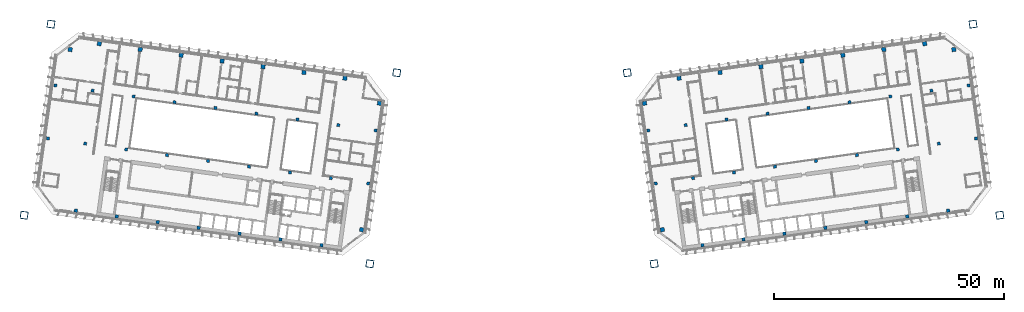
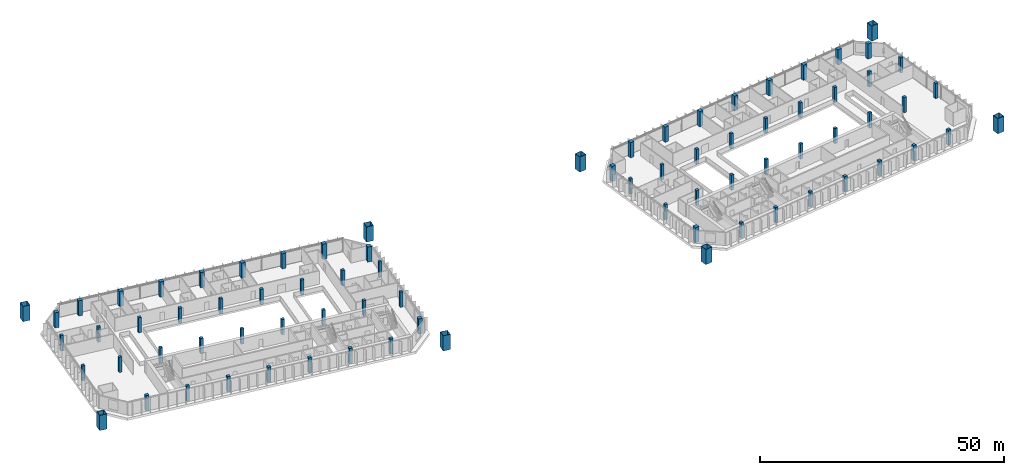
# One storey, part 1 of 25: 78 columns.
"""IFC4 building model written with IfcOpenShell, lengths in metres."""

from ifc_helpers import new_model, si_unit, direction, frame, origin, origin_2d, place, context, subcontext, project, spatial, rectangle, hollow_rectangle, extrude, material, material_profile, profile_set, type_object, element, save


model = new_model("IFC4")

# Units and contexts
model_context = context("Model", 3, precision=1e-05, world=origin(), true_north=direction((0.0, 1.0)))
body_context = subcontext(model_context, "Body", "Model", "MODEL_VIEW")
ifc_project = project(units=[si_unit("LENGTHUNIT", "METRE"), si_unit("AREAUNIT", "SQUARE_METRE"), si_unit("VOLUMEUNIT", "CUBIC_METRE"), si_unit("PLANEANGLEUNIT", "RADIAN"), si_unit("MASSUNIT", "GRAM", prefix="KILO")], contexts=[model_context])

# Site, building, storey
site_placement = place(None, origin())
site = spatial("IfcSite", under=ifc_project, at=site_placement, CompositionType="ELEMENT")
building_placement = place(site_placement, origin())
building = spatial("IfcBuilding", under=site, at=building_placement, Name="Mirante Cascada Hotel Towers", CompositionType="ELEMENT")
storey_placement = place(building_placement, frame((0.0, 0.0, 129.1)))
storey = spatial("IfcBuildingStorey", under=building, at=storey_placement, Name="L29", CompositionType="ELEMENT", Elevation=129.1)

# Columns
ifc_material_1 = material(Name="Steel ASTM A572 Gr 50", Category="steel")
ifc_material_profile_1 = material_profile(ifc_material_1, hollow_rectangle(XDim=1.6, YDim=1.6, WallThickness=0.07, at=origin_2d()), Name="Box column 1600x1600x70 ASTM A572 Gr 50")
ifc_profile_set_1 = profile_set([ifc_material_profile_1], Name="Steel ASTM A572 Gr 50")
column_type_1 = type_object("IfcColumnType", Name="Box column 1600x1600x70 ASTM A572 Gr 50", PredefinedType="COLUMN", material=ifc_profile_set_1)
for number, where, z_axis, x_axis, name in (
    (1, (-25.0968, 18.5173, 0.0), (0.0, 0.0, 1.0), (-0.9902681, 0.1391731, 0.0), "Mega column MC1 T1 L29"),
    (2, (-30.9421, -23.074, 0.0), (0.0, 0.0, 1.0), (-0.9902681, 0.1391731, 0.0), "Mega column MC2 T1 L29"),
    (3, (-100.3572, 29.0944, 0.0), (0.0, 0.0, 1.0), (-0.9902681, 0.1391731, 0.0), "Mega column MC3 T1 L29"),
    (4, (-106.2025, -12.4968, 0.0), (0.0, 0.0, 1.0), (-0.9902681, 0.1391731, 0.0), "Mega column MC4 T1 L29"),
    (5, (25.0968, 18.5173, 0.0), (0.0, 0.0, 1.0), (0.9902681, 0.1391731, 0.0), "Mega column MC1 T2 L29"),
    (6, (30.9421, -23.074, 0.0), (0.0, 0.0, 1.0), (0.9902681, 0.1391731, 0.0), "Mega column MC2 T2 L29"),
    (7, (100.3572, 29.0944, 0.0), (0.0, 0.0, 1.0), (0.9902681, 0.1391731, 0.0), "Mega column MC3 T2 L29"),
    (8, (106.2025, -12.4968, 0.0), (0.0, 0.0, 1.0), (0.9902681, 0.1391731, 0.0), "Mega column MC4 T2 L29"),
):
    element("IfcColumn", number, at=place(storey_placement, frame(where, z_axis=z_axis, x_axis=x_axis)), inside=storey, type_object=column_type_1, Name=name, PredefinedType="COLUMN", context=body_context, shape_type="SweptSolid", body=[
        extrude(hollow_rectangle(XDim=1.6, YDim=1.6, WallThickness=0.07, at=origin_2d()), origin(), (0.0, 0.0, 1.0), 3.8),
    ])
ifc_material_2 = material(Name="Concrete C60/75", Category="concrete")
ifc_material_profile_2 = material_profile(ifc_material_2, rectangle(XDim=0.65, YDim=0.65, at=origin_2d()), Name="RC column 650x650 C60/75")
ifc_profile_set_2 = profile_set([ifc_material_profile_2], Name="Concrete C60/75")
column_type_2 = type_object("IfcColumnType", Name="RC column 650x650 C60/75", PredefinedType="COLUMN", material=ifc_profile_set_2)
for number, where, z_axis, x_axis, name in (
    (9, (-29.6893, 5.9592, 0.0), (0.0, 0.0, 1.0), (-0.9902681, 0.1391731, 0.0), "Column T1 L29 2"),
    (10, (-31.3106, -5.5774, 0.0), (0.0, 0.0, 1.0), (-0.9902681, 0.1391731, 0.0), "Column T1 L29 3"),
    (11, (-37.8095, 7.1004, 0.0), (0.0, 0.0, 1.0), (-0.9902681, 0.1391731, 0.0), "Column T1 L29 6"),
    (12, (-39.4308, -4.4362, 0.0), (0.0, 0.0, 1.0), (-0.9902681, 0.1391731, 0.0), "Column T1 L29 7"),
    (13, (-46.7219, 8.353, 0.0), (0.0, 0.0, 1.0), (-0.9902681, 0.1391731, 0.0), "Column T1 L29 10"),
    (14, (-48.3432, -3.1836, 0.0), (0.0, 0.0, 1.0), (-0.9902681, 0.1391731, 0.0), "Column T1 L29 11"),
    (15, (-55.6343, 9.6055, 0.0), (0.0, 0.0, 1.0), (-0.9902681, 0.1391731, 0.0), "Column T1 L29 14"),
    (16, (-57.2557, -1.9311, 0.0), (0.0, 0.0, 1.0), (-0.9902681, 0.1391731, 0.0), "Column T1 L29 15"),
    (17, (-64.5467, 10.8581, 0.0), (0.0, 0.0, 1.0), (-0.9902681, 0.1391731, 0.0), "Column T1 L29 18"),
    (18, (-66.1681, -0.6785, 0.0), (0.0, 0.0, 1.0), (-0.9902681, 0.1391731, 0.0), "Column T1 L29 19"),
    (19, (-73.4591, 12.1107, 0.0), (0.0, 0.0, 1.0), (-0.9902681, 0.1391731, 0.0), "Column T1 L29 22"),
    (20, (-75.0805, 0.574, 0.0), (0.0, 0.0, 1.0), (-0.9902681, 0.1391731, 0.0), "Column T1 L29 23"),
    (21, (-82.3715, 13.3632, 0.0), (0.0, 0.0, 1.0), (-0.9902681, 0.1391731, 0.0), "Column T1 L29 26"),
    (22, (-83.9929, 1.8266, 0.0), (0.0, 0.0, 1.0), (-0.9902681, 0.1391731, 0.0), "Column T1 L29 27"),
    (23, (-91.2839, 14.6158, 0.0), (0.0, 0.0, 1.0), (-0.9902681, 0.1391731, 0.0), "Column T1 L29 30"),
    (24, (-92.9053, 3.0792, 0.0), (0.0, 0.0, 1.0), (-0.9902681, 0.1391731, 0.0), "Column T1 L29 31"),
    (25, (-99.4041, 15.757, 0.0), (0.0, 0.0, 1.0), (-0.9902681, 0.1391731, 0.0), "Column T1 L29 34"),
    (26, (-101.0255, 4.2204, 0.0), (0.0, 0.0, 1.0), (-0.9902681, 0.1391731, 0.0), "Column T1 L29 35"),
    (27, (29.6893, 5.9592, 0.0), (0.0, 0.0, 1.0), (0.9902681, 0.1391731, 0.0), "Column T2 L29 2"),
    (28, (31.3106, -5.5774, 0.0), (0.0, 0.0, 1.0), (0.9902681, 0.1391731, 0.0), "Column T2 L29 3"),
    (29, (37.8095, 7.1004, 0.0), (0.0, 0.0, 1.0), (0.9902681, 0.1391731, 0.0), "Column T2 L29 6"),
    (30, (39.4308, -4.4362, 0.0), (0.0, 0.0, 1.0), (0.9902681, 0.1391731, 0.0), "Column T2 L29 7"),
    (31, (46.7219, 8.353, 0.0), (0.0, 0.0, 1.0), (0.9902681, 0.1391731, 0.0), "Column T2 L29 10"),
    (32, (48.3432, -3.1836, 0.0), (0.0, 0.0, 1.0), (0.9902681, 0.1391731, 0.0), "Column T2 L29 11"),
    (33, (55.6343, 9.6055, 0.0), (0.0, 0.0, 1.0), (0.9902681, 0.1391731, 0.0), "Column T2 L29 14"),
    (34, (57.2557, -1.9311, 0.0), (0.0, 0.0, 1.0), (0.9902681, 0.1391731, 0.0), "Column T2 L29 15"),
    (35, (64.5467, 10.8581, 0.0), (0.0, 0.0, 1.0), (0.9902681, 0.1391731, 0.0), "Column T2 L29 18"),
    (36, (66.1681, -0.6785, 0.0), (0.0, 0.0, 1.0), (0.9902681, 0.1391731, 0.0), "Column T2 L29 19"),
    (37, (73.4591, 12.1107, 0.0), (0.0, 0.0, 1.0), (0.9902681, 0.1391731, 0.0), "Column T2 L29 22"),
    (38, (75.0805, 0.574, 0.0), (0.0, 0.0, 1.0), (0.9902681, 0.1391731, 0.0), "Column T2 L29 23"),
    (39, (82.3715, 13.3632, 0.0), (0.0, 0.0, 1.0), (0.9902681, 0.1391731, 0.0), "Column T2 L29 26"),
    (40, (83.9929, 1.8266, 0.0), (0.0, 0.0, 1.0), (0.9902681, 0.1391731, 0.0), "Column T2 L29 27"),
    (41, (91.2839, 14.6158, 0.0), (0.0, 0.0, 1.0), (0.9902681, 0.1391731, 0.0), "Column T2 L29 30"),
    (42, (92.9053, 3.0792, 0.0), (0.0, 0.0, 1.0), (0.9902681, 0.1391731, 0.0), "Column T2 L29 31"),
    (43, (99.4041, 15.757, 0.0), (0.0, 0.0, 1.0), (0.9902681, 0.1391731, 0.0), "Column T2 L29 34"),
    (44, (101.0255, 4.2204, 0.0), (0.0, 0.0, 1.0), (0.9902681, 0.1391731, 0.0), "Column T2 L29 35"),
):
    element("IfcColumn", number, at=place(storey_placement, frame(where, z_axis=z_axis, x_axis=x_axis)), inside=storey, type_object=column_type_2, Name=name, PredefinedType="COLUMN", context=body_context, shape_type="SweptSolid", body=[
        extrude(rectangle(XDim=0.65, YDim=0.65, at=origin_2d()), origin(), (0.0, 0.0, 1.0), 3.8),
    ])
ifc_material_3 = material(Name="Concrete C60/75", Category="concrete")
ifc_material_profile_3 = material_profile(ifc_material_3, rectangle(XDim=0.7, YDim=0.7, at=origin_2d()), Name="RC column 700x700 C60/75")
ifc_profile_set_3 = profile_set([ifc_material_profile_3], Name="Concrete C60/75")
column_type_3 = type_object("IfcColumnType", Name="RC column 700x700 C60/75", PredefinedType="COLUMN", material=ifc_profile_set_3)
for number, where, z_axis, x_axis, name in (
    (45, (-41.4802, -19.0179, 0.0), (0.0, 0.0, 1.0), (-0.9902681, 0.1391731, 0.0), "Column T1 L29 8"),
    (46, (-50.3926, -17.7653, 0.0), (0.0, 0.0, 1.0), (-0.9902681, 0.1391731, 0.0), "Column T1 L29 12"),
    (47, (-59.305, -16.5128, 0.0), (0.0, 0.0, 1.0), (-0.9902681, 0.1391731, 0.0), "Column T1 L29 16"),
    (48, (-68.2174, -15.2602, 0.0), (0.0, 0.0, 1.0), (-0.9902681, 0.1391731, 0.0), "Column T1 L29 20"),
    (49, (-77.1298, -14.0077, 0.0), (0.0, 0.0, 1.0), (-0.9902681, 0.1391731, 0.0), "Column T1 L29 24"),
    (50, (-86.0422, -12.7551, 0.0), (0.0, 0.0, 1.0), (-0.9902681, 0.1391731, 0.0), "Column T1 L29 28"),
    (51, (-94.9546, -11.5025, 0.0), (0.0, 0.0, 1.0), (-0.9902681, 0.1391731, 0.0), "Column T1 L29 32"),
    (52, (41.4802, -19.0179, 0.0), (0.0, 0.0, 1.0), (0.9902681, 0.1391731, 0.0), "Column T2 L29 8"),
    (53, (50.3926, -17.7653, 0.0), (0.0, 0.0, 1.0), (0.9902681, 0.1391731, 0.0), "Column T2 L29 12"),
    (54, (59.305, -16.5128, 0.0), (0.0, 0.0, 1.0), (0.9902681, 0.1391731, 0.0), "Column T2 L29 16"),
    (55, (68.2174, -15.2602, 0.0), (0.0, 0.0, 1.0), (0.9902681, 0.1391731, 0.0), "Column T2 L29 20"),
    (56, (77.1298, -14.0077, 0.0), (0.0, 0.0, 1.0), (0.9902681, 0.1391731, 0.0), "Column T2 L29 24"),
    (57, (86.0422, -12.7551, 0.0), (0.0, 0.0, 1.0), (0.9902681, 0.1391731, 0.0), "Column T2 L29 28"),
    (58, (94.9546, -11.5025, 0.0), (0.0, 0.0, 1.0), (0.9902681, 0.1391731, 0.0), "Column T2 L29 32"),
):
    element("IfcColumn", number, at=place(storey_placement, frame(where, z_axis=z_axis, x_axis=x_axis)), inside=storey, type_object=column_type_3, Name=name, PredefinedType="COLUMN", context=body_context, shape_type="SweptSolid", body=[
        extrude(rectangle(XDim=0.7, YDim=0.7, at=origin_2d()), origin(), (0.0, 0.0, 1.0), 3.8),
    ])
ifc_material_4 = material(Name="Concrete C60/75", Category="concrete")
ifc_material_profile_4 = material_profile(ifc_material_4, rectangle(XDim=0.9, YDim=0.9, at=origin_2d()), Name="RC column 900x900 C60/75")
ifc_profile_set_4 = profile_set([ifc_material_profile_4], Name="Concrete C60/75")
column_type_4 = type_object("IfcColumnType", Name="RC column 900x900 C60/75", PredefinedType="COLUMN", material=ifc_profile_set_4)
for number, where, z_axis, x_axis, name in (
    (59, (-28.8577, 11.8761, 0.0), (0.0, 0.0, 1.0), (-0.9902681, 0.1391731, 0.0), "Column T1 L29 1"),
    (60, (-32.7267, -15.6534, 0.0), (0.0, 0.0, 1.0), (-0.9902681, 0.1391731, 0.0), "Column T1 L29 4"),
    (61, (-36.3725, 17.325, 0.0), (0.0, 0.0, 1.0), (-0.9902681, 0.1391731, 0.0), "Column T1 L29 5"),
    (62, (-45.2849, 18.5775, 0.0), (0.0, 0.0, 1.0), (-0.9902681, 0.1391731, 0.0), "Column T1 L29 9"),
    (63, (-54.1973, 19.8301, 0.0), (0.0, 0.0, 1.0), (-0.9902681, 0.1391731, 0.0), "Column T1 L29 13"),
    (64, (-63.1097, 21.0826, 0.0), (0.0, 0.0, 1.0), (-0.9902681, 0.1391731, 0.0), "Column T1 L29 17"),
    (65, (-72.0222, 22.3352, 0.0), (0.0, 0.0, 1.0), (-0.9902681, 0.1391731, 0.0), "Column T1 L29 21"),
    (66, (-80.9346, 23.5877, 0.0), (0.0, 0.0, 1.0), (-0.9902681, 0.1391731, 0.0), "Column T1 L29 25"),
    (67, (-89.847, 24.8403, 0.0), (0.0, 0.0, 1.0), (-0.9902681, 0.1391731, 0.0), "Column T1 L29 29"),
    (68, (-96.1868, 23.5602, 0.0), (0.0, 0.0, 1.0), (-0.9902681, 0.1391731, 0.0), "Column T1 L29 33"),
    (69, (28.8577, 11.8761, 0.0), (0.0, 0.0, 1.0), (0.9902681, 0.1391731, 0.0), "Column T2 L29 1"),
    (70, (32.7267, -15.6534, 0.0), (0.0, 0.0, 1.0), (0.9902681, 0.1391731, 0.0), "Column T2 L29 4"),
    (71, (36.3725, 17.325, 0.0), (0.0, 0.0, 1.0), (0.9902681, 0.1391731, 0.0), "Column T2 L29 5"),
    (72, (45.2849, 18.5775, 0.0), (0.0, 0.0, 1.0), (0.9902681, 0.1391731, 0.0), "Column T2 L29 9"),
    (73, (54.1973, 19.8301, 0.0), (0.0, 0.0, 1.0), (0.9902681, 0.1391731, 0.0), "Column T2 L29 13"),
    (74, (63.1097, 21.0826, 0.0), (0.0, 0.0, 1.0), (0.9902681, 0.1391731, 0.0), "Column T2 L29 17"),
    (75, (72.0222, 22.3352, 0.0), (0.0, 0.0, 1.0), (0.9902681, 0.1391731, 0.0), "Column T2 L29 21"),
    (76, (80.9346, 23.5877, 0.0), (0.0, 0.0, 1.0), (0.9902681, 0.1391731, 0.0), "Column T2 L29 25"),
    (77, (89.847, 24.8403, 0.0), (0.0, 0.0, 1.0), (0.9902681, 0.1391731, 0.0), "Column T2 L29 29"),
    (78, (96.1868, 23.5602, 0.0), (0.0, 0.0, 1.0), (0.9902681, 0.1391731, 0.0), "Column T2 L29 33"),
):
    element("IfcColumn", number, at=place(storey_placement, frame(where, z_axis=z_axis, x_axis=x_axis)), inside=storey, type_object=column_type_4, Name=name, PredefinedType="COLUMN", context=body_context, shape_type="SweptSolid", body=[
        extrude(rectangle(XDim=0.9, YDim=0.9, at=origin_2d()), origin(), (0.0, 0.0, 1.0), 3.8),
    ])

save(model, "model.ifc")
